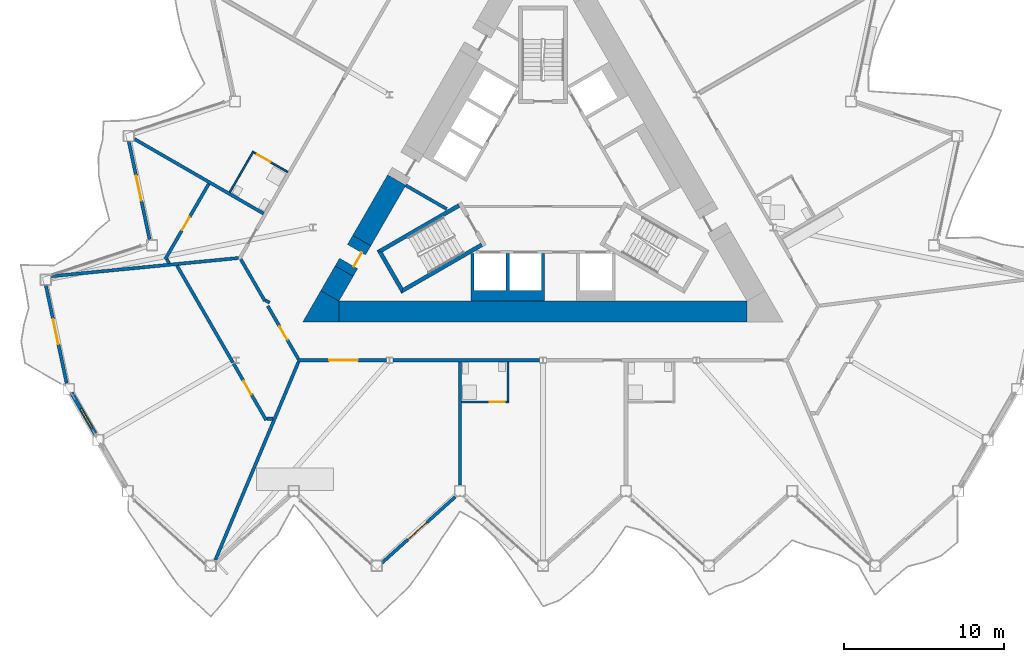
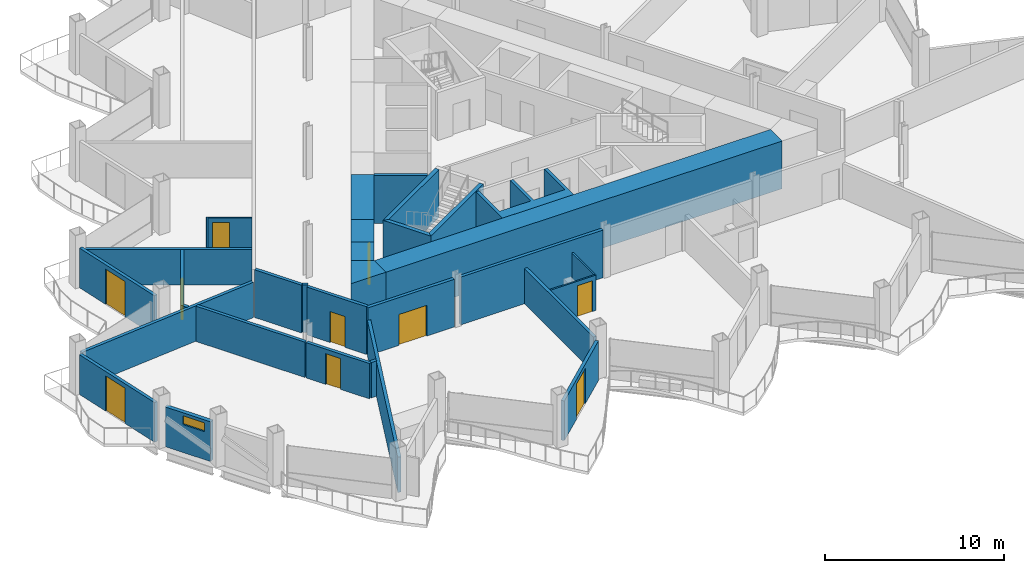
# One storey, part 11 of 23: 32 walls, 10 doors, 1 window, 11 openings.
"""IFC4 building model written with IfcOpenShell, lengths in metres."""

from ifc_helpers import new_model, si_unit, direction, frame, frame_2d, origin, place, context, subcontext, project, spatial, polyline, rectangle, outline, extrude, material, layer, layer_set, type_object, element, fill, save


model = new_model("IFC4")

# Units and contexts
model_context = context("Model", 3, precision=1e-05, world=origin(), true_north=direction((0.0, 1.0)))
body_context = subcontext(model_context, "Body", "Model", "MODEL_VIEW")
ifc_project = project(units=[si_unit("LENGTHUNIT", "METRE"), si_unit("AREAUNIT", "SQUARE_METRE"), si_unit("VOLUMEUNIT", "CUBIC_METRE"), si_unit("PLANEANGLEUNIT", "RADIAN"), si_unit("MASSUNIT", "GRAM", prefix="KILO")], contexts=[model_context])

# Site, building, storey
site_placement = place(None, origin())
site = spatial("IfcSite", under=ifc_project, at=site_placement, CompositionType="ELEMENT")
building_placement = place(site_placement, origin())
building = spatial("IfcBuilding", under=site, at=building_placement, Name="Cormorant Prow Tower", CompositionType="ELEMENT")
storey_placement = place(building_placement, frame((0.0, 0.0, 267.0)))
storey = spatial("IfcBuildingStorey", under=building, at=storey_placement, Name="L60", CompositionType="ELEMENT", Elevation=267.0)

# Walls
ifc_material_1 = material(Name="Concrete 8000 psi", Category="concrete")
ifc_layer_1 = layer(ifc_material_1, 1.300048828125)
ifc_layer_set_1 = layer_set([ifc_layer_1], Name="Concrete 8000 psi")
wall_type_1 = type_object("IfcWallType", Name="Core shear wall 1300", PredefinedType="SHEAR", material=ifc_layer_set_1)
wall_1_placement = place(storey_placement, frame((-12.748291015625, -8.01025390625, 0.0), z_axis=(0.0, 0.0, 1.0), x_axis=(1.0, 0.0, 0.0)))
element("IfcWall", 1, at=wall_1_placement, inside=storey, type_object=wall_type_1, Name="Core wall", PredefinedType="SHEAR", context=body_context, shape_type="SweptSolid", body=[
    extrude(rectangle(XDim=25.49658203125, YDim=1.300048828125, at=frame_2d((12.748291015625, 0.0))), origin(), (0.0, 0.0, 1.0), 3.25),
])
wall_2_placement = place(storey_placement, frame((-9.13720703125, 0.194580078125, 0.0), z_axis=(0.0, 0.0, 1.0), x_axis=(-0.499985697398, -0.866033661238, 0.0)))
element("IfcWall", 2, at=wall_2_placement, inside=storey, type_object=wall_type_1, Name="Core wall", PredefinedType="SHEAR", context=body_context, shape_type="SweptSolid", body=[
    extrude(rectangle(XDim=4.362060546875, YDim=1.300048828125, at=frame_2d((2.18115234375, 0.0))), origin(), (0.0, 0.0, 1.0), 3.25),
])
wall_3_placement = place(storey_placement, frame((-12.418212890625, -5.48828125, 0.0), z_axis=(0.0, 0.0, 1.0), x_axis=(-0.499931460552, -0.866064971437, 0.0)))
element("IfcWall", 3, at=wall_3_placement, inside=storey, type_object=wall_type_1, Name="Core wall", PredefinedType="SHEAR", context=body_context, shape_type="SweptSolid", body=[
    extrude(rectangle(XDim=1.786376953125, YDim=1.300048828125, at=frame_2d((0.89306640625, 0.0))), origin(), (0.0, 0.0, 1.0), 3.25),
])
wall_4_placement = place(storey_placement, origin())
element("IfcWall", 4, at=wall_4_placement, inside=storey, type_object=wall_type_1, Name="Core wall corner", PredefinedType="SHEAR", context=body_context, shape_type="SweptSolid", body=[
    extrude(outline(polyline([(-13.874267578125, -6.710205078125), (-12.748291015625, -7.3603515625), (-12.748291015625, -8.660400390625), (-15.0, -8.660400390625), (-13.874267578125, -6.710205078125)])), origin(), (0.0, 0.0, 1.0), 3.25),
])

# Wall, opening, door
wall_5_placement = place(storey_placement, frame((-11.318115234375, -3.5830078125, 0.0), z_axis=(0.0, 0.0, 1.0), x_axis=(-0.50002983664, -0.866008176907, 0.0)))
wall_5 = element("IfcWall", 5, at=wall_5_placement, inside=storey, type_object=wall_type_1, Name="Core wall door panel", PredefinedType="SHEAR", context=body_context, shape_type="SweptSolid", body=[
    extrude(rectangle(XDim=2.199951171875, YDim=1.300048828125, at=frame_2d((1.10009765625, 0.0))), origin(), (0.0, 0.0, 1.0), 3.25),
])
opening_1_placement = place(wall_5_placement, frame((0.64990234375, 0.0, 0.0)))
opening_1 = element("IfcOpeningElement", 6, at=opening_1_placement, cuts=wall_5, Name="Opening L60-C14", PredefinedType="OPENING", context=body_context, shape_type="SweptSolid", body=[
    extrude(rectangle(XDim=1.0, YDim=2.10009765625, at=frame_2d((0.5, 1.050048828125))), frame((0.0, 0.659912109375, 0.0), z_axis=(0.0, -1.0, 0.0), x_axis=(1.0, 0.0, 0.0)), (0.0, 0.0, 1.0), 1.320068359375),
])
ifc_material_2 = material(Name="Painted steel", Category="steel")
door_type_1 = type_object("IfcDoorType", Name="Service door 1000x2100", OperationType="NOTDEFINED", PredefinedType="DOOR", material=ifc_material_2)
door_1_placement = place(opening_1_placement, origin())
door_1 = element("IfcDoor", 7, at=door_1_placement, inside=storey, type_object=door_type_1, Name="Core door, Housekeeping store", OperationType="SINGLE_SWING_LEFT", OverallHeight=2.10009765625, OverallWidth=1.0, PredefinedType="DOOR", context=body_context, shape_type="SweptSolid", body=[
    extrude(rectangle(XDim=1.0, YDim=2.10009765625, at=frame_2d((0.5, 1.050048828125))), frame((0.0, 0.40478515625, 0.0), z_axis=(0.0, -1.0, 0.0), x_axis=(1.0, 0.0, 0.0)), (0.0, 0.0, 1.0), 0.050048828125),
])
fill(opening_1, door_1)

# Wall
ifc_material_3 = material(Name="Gypsum board corridor wall")
ifc_layer_2 = layer(ifc_material_3, 0.199951171875)
ifc_layer_set_2 = layer_set([ifc_layer_2], Name="Gypsum board corridor wall")
wall_type_2 = type_object("IfcWallType", Name="Corridor wall 200", PredefinedType="PARTITIONING", material=ifc_layer_set_2)
wall_6_placement = place(storey_placement, frame((-9.368896484375, -11.060302734375, 0.0), z_axis=(0.0, 0.0, 1.0), x_axis=(1.0, 0.0, 0.0)))
element("IfcWall", 8, at=wall_6_placement, inside=storey, type_object=wall_type_2, Name="Corridor wall", PredefinedType="PARTITIONING", context=body_context, shape_type="SweptSolid", body=[
    extrude(rectangle(XDim=9.159423828125, YDim=0.199951171875, at=frame_2d((4.57958984375, 0.0))), origin(), (0.0, 0.0, 1.0), 3.25),
])

# Wall, opening, door
wall_7_placement = place(storey_placement, frame((-15.330810546875, -11.060302734375, 0.0), z_axis=(0.0, 0.0, 1.0), x_axis=(1.0, 0.0, 0.0)))
wall_7 = element("IfcWall", 9, at=wall_7_placement, inside=storey, type_object=wall_type_2, Name="Corridor wall", PredefinedType="PARTITIONING", context=body_context, shape_type="SweptSolid", body=[
    extrude(rectangle(XDim=5.542724609375, YDim=0.199951171875, at=frame_2d((2.771484375, 0.0))), origin(), (0.0, 0.0, 1.0), 3.25),
])
opening_2_placement = place(wall_7_placement, frame((1.972900390625, 0.0, 0.0)))
opening_2 = element("IfcOpeningElement", 10, at=opening_2_placement, cuts=wall_7, Name="Opening L60-F01", PredefinedType="OPENING", context=body_context, shape_type="SweptSolid", body=[
    extrude(rectangle(XDim=1.800048828125, YDim=2.10009765625, at=frame_2d((0.89990234375, 1.050048828125))), frame((0.0, 0.10986328125, 0.0), z_axis=(0.0, -1.0, 0.0), x_axis=(1.0, 0.0, 0.0)), (0.0, 0.0, 1.0), 0.219970703125),
])
ifc_material_4 = material(Name="Timber door leaf", Category="wood")
door_type_2 = type_object("IfcDoorType", Name="Double door 1800x2100", OperationType="DOUBLE_DOOR_SINGLE_SWING", PredefinedType="DOOR", material=ifc_material_4)
door_2_placement = place(opening_2_placement, origin())
door_2 = element("IfcDoor", 11, at=door_2_placement, inside=storey, type_object=door_type_2, Name="Library door", OperationType="DOUBLE_DOOR_SINGLE_SWING", OverallHeight=2.10009765625, OverallWidth=1.800048828125, PredefinedType="DOOR", context=body_context, shape_type="SweptSolid", body=[
    extrude(rectangle(XDim=1.800048828125, YDim=2.10009765625, at=frame_2d((0.89990234375, 1.050048828125))), frame((0.0, 0.02490234375, 0.0), z_axis=(0.0, -1.0, 0.0), x_axis=(1.0, 0.0, 0.0)), (0.0, 0.0, 1.0), 0.050048828125),
])
fill(opening_2, door_2)

wall_8_placement = place(storey_placement, frame((-17.19384765625, -7.660400390625, 0.0), z_axis=(0.0, 0.0, 1.0), x_axis=(0.499989446428, -0.866031496806, 0.0)))
wall_8 = element("IfcWall", 12, at=wall_8_placement, inside=storey, type_object=wall_type_2, Name="Corridor wall", PredefinedType="PARTITIONING", context=body_context, shape_type="SweptSolid", body=[
    extrude(rectangle(XDim=3.82568359375, YDim=0.199951171875, at=frame_2d((1.912841796875, 0.0))), origin(), (0.0, 0.0, 1.0), 3.25),
])
opening_3_placement = place(wall_8_placement, frame((1.48974609375, 0.0, 0.0)))
opening_3 = element("IfcOpeningElement", 13, at=opening_3_placement, cuts=wall_8, Name="Opening L60-F20", PredefinedType="OPENING", context=body_context, shape_type="SweptSolid", body=[
    extrude(rectangle(XDim=0.949951171875, YDim=2.10009765625, at=frame_2d((0.47509765625, 1.050048828125))), frame((0.0, 0.10986328125, 0.0), z_axis=(0.0, -1.0, 0.0), x_axis=(1.0, 0.0, 0.0)), (0.0, 0.0, 1.0), 0.219970703125),
])
ifc_material_5 = material(Name="Timber door leaf", Category="wood")
door_type_3 = type_object("IfcDoorType", Name="Store door 950x2100", OperationType="NOTDEFINED", PredefinedType="DOOR", material=ifc_material_5)
door_3_placement = place(opening_3_placement, origin())
door_3 = element("IfcDoor", 14, at=door_3_placement, inside=storey, type_object=door_type_3, Name="Guest pantry door", OperationType="SINGLE_SWING_LEFT", OverallHeight=2.10009765625, OverallWidth=0.949951171875, PredefinedType="DOOR", context=body_context, shape_type="SweptSolid", body=[
    extrude(rectangle(XDim=0.949951171875, YDim=2.10009765625, at=frame_2d((0.47509765625, 1.050048828125))), frame((0.0, 0.02490234375, 0.0), z_axis=(0.0, -1.0, 0.0), x_axis=(1.0, 0.0, 0.0)), (0.0, 0.0, 1.0), 0.050048828125),
])
fill(opening_3, door_3)

# Walls
wall_9_placement = place(storey_placement, frame((-18.8759765625, -4.746826171875, 0.0), z_axis=(0.0, 0.0, 1.0), x_axis=(0.499952404951, -0.866052881055, 0.0)))
element("IfcWall", 15, at=wall_9_placement, inside=storey, type_object=wall_type_2, Name="Corridor wall", PredefinedType="PARTITIONING", context=body_context, shape_type="SweptSolid", body=[
    extrude(rectangle(XDim=3.002197265625, YDim=0.199951171875, at=frame_2d((1.5009765625, 0.0))), origin(), (0.0, 0.0, 1.0), 3.25),
])
wall_10_placement = place(storey_placement, frame((-17.33837890625, -7.310302734375, 0.0), z_axis=(0.0, 0.0, 1.0), x_axis=(0.866054481515, -0.499949632511, 0.0)))
element("IfcWall", 16, at=wall_10_placement, inside=storey, type_object=wall_type_2, Name="Corridor wall", PredefinedType="PARTITIONING", context=body_context, shape_type="SweptSolid", body=[
    extrude(rectangle(XDim=0.31005859375, YDim=0.199951171875, at=frame_2d((0.155029296875, 0.0))), origin(), (0.0, 0.0, 1.0), 3.25),
])
ifc_material_6 = material(Name="Gypsum board demising wall")
ifc_layer_3 = layer(ifc_material_6, 0.199951171875)
ifc_layer_set_3 = layer_set([ifc_layer_3], Name="Gypsum board demising wall")
wall_type_3 = type_object("IfcWallType", Name="Demising wall 200", PredefinedType="PARTITIONING", material=ifc_layer_set_3)
wall_11_placement = place(storey_placement, frame((-20.459716796875, -23.52685546875, 0.0), z_axis=(0.0, 0.0, 1.0), x_axis=(0.386788567553, 0.922168424969, 0.0)))
element("IfcWall", 17, at=wall_11_placement, inside=storey, type_object=wall_type_3, Name="Demising wall", PredefinedType="PARTITIONING", context=body_context, shape_type="SweptSolid", body=[
    extrude(rectangle(XDim=13.418701171875, YDim=0.199951171875, at=frame_2d((6.70947265625, 0.0))), origin(), (0.0, 0.0, 1.0), 2.404296875),
])
wall_12_placement = place(storey_placement, frame((-30.703125, -5.80859375, 0.0), z_axis=(0.0, 0.0, 1.0), x_axis=(0.99527973335, 0.097047680974, 0.0)))
element("IfcWall", 18, at=wall_12_placement, inside=storey, type_object=wall_type_3, Name="Demising wall", PredefinedType="PARTITIONING", context=body_context, shape_type="SweptSolid", body=[
    extrude(rectangle(XDim=11.733154296875, YDim=0.199951171875, at=frame_2d((5.86669921875, 0.0))), origin(), (0.0, 0.0, 1.0), 2.404296875),
])
wall_13_placement = place(storey_placement, frame((-25.514892578125, 2.76220703125, 0.0), z_axis=(0.0, 0.0, 1.0), x_axis=(0.866025446298, -0.499999926364, 0.0)))
element("IfcWall", 19, at=wall_13_placement, inside=storey, type_object=wall_type_3, Name="Demising wall", PredefinedType="PARTITIONING", context=body_context, shape_type="SweptSolid", body=[
    extrude(rectangle(XDim=9.3173828125, YDim=0.199951171875, at=frame_2d((4.65869140625, 0.0))), origin(), (0.0, 0.0, 1.0), 2.404296875),
])
wall_14_placement = place(storey_placement, frame((-5.1826171875, -18.85546875, 0.0), z_axis=(0.0, 0.0, 1.0), x_axis=(0.0, 1.0, 0.0)))
element("IfcWall", 20, at=wall_14_placement, inside=storey, type_object=wall_type_3, Name="Demising wall", PredefinedType="PARTITIONING", context=body_context, shape_type="SweptSolid", body=[
    extrude(rectangle(XDim=7.695068359375, YDim=0.199951171875, at=frame_2d((3.84765625, 0.0))), origin(), (0.0, 0.0, 1.0), 2.404296875),
])
wall_15_placement = place(storey_placement, frame((-22.865966796875, -5.135986328125, 0.0), z_axis=(0.0, 0.0, 1.0), x_axis=(0.499988162555, -0.866032238029, 0.0)))
element("IfcWall", 21, at=wall_15_placement, inside=storey, type_object=wall_type_3, Name="Demising wall", PredefinedType="PARTITIONING", context=body_context, shape_type="SweptSolid", body=[
    extrude(rectangle(XDim=6.999267578125, YDim=0.199951171875, at=frame_2d((3.49951171875, 0.0))), origin(), (0.0, 0.0, 1.0), 2.404296875),
])

# Wall, opening, door
wall_16_placement = place(storey_placement, frame((-23.5947265625, -4.746826171875, 0.0), z_axis=(0.0, 0.0, 1.0), x_axis=(0.500003308737, 0.866023493476, 0.0)))
wall_16 = element("IfcWall", 22, at=wall_16_placement, inside=storey, type_object=wall_type_3, Name="Demising wall", PredefinedType="PARTITIONING", context=body_context, shape_type="SweptSolid", body=[
    extrude(rectangle(XDim=5.44287109375, YDim=0.199951171875, at=frame_2d((2.721435546875, 0.0))), origin(), (0.0, 0.0, 1.0), 2.404296875),
])
opening_4_placement = place(wall_16_placement, frame((2.0927734375, 0.0, 0.0)))
opening_4 = element("IfcOpeningElement", 23, at=opening_4_placement, cuts=wall_16, Name="Opening L60-F19", PredefinedType="OPENING", context=body_context, shape_type="SweptSolid", body=[
    extrude(rectangle(XDim=0.949951171875, YDim=2.10009765625, at=frame_2d((0.47509765625, 1.050048828125))), frame((0.0, 0.10986328125, 0.0), z_axis=(0.0, -1.0, 0.0), x_axis=(1.0, 0.0, 0.0)), (0.0, 0.0, 1.0), 0.219970703125),
])
door_4_placement = place(opening_4_placement, origin())
door_4 = element("IfcDoor", 24, at=door_4_placement, inside=storey, type_object=door_type_3, Name="Ice and vending room door", OperationType="SINGLE_SWING_RIGHT", OverallHeight=2.10009765625, OverallWidth=0.949951171875, PredefinedType="DOOR", context=body_context, shape_type="SweptSolid", body=[
    extrude(rectangle(XDim=0.949951171875, YDim=2.10009765625, at=frame_2d((0.47509765625, 1.050048828125))), frame((0.0, 0.02490234375, 0.0), z_axis=(0.0, -1.0, 0.0), x_axis=(1.0, 0.0, 0.0)), (0.0, 0.0, 1.0), 0.050048828125),
])
fill(opening_4, door_4)

wall_17_placement = place(storey_placement, frame((-19.32470703125, -11.269775390625, 0.0), z_axis=(0.0, 0.0, 1.0), x_axis=(0.500000928893, -0.866024867487, 0.0)))
wall_17 = element("IfcWall", 25, at=wall_17_placement, inside=storey, type_object=wall_type_3, Name="Demising wall", PredefinedType="PARTITIONING", context=body_context, shape_type="SweptSolid", body=[
    extrude(rectangle(XDim=4.07275390625, YDim=0.199951171875, at=frame_2d((2.036376953125, 0.0))), origin(), (0.0, 0.0, 1.0), 2.404296875),
])
opening_5_placement = place(wall_17_placement, frame((1.2587890625, 0.0, 0.0)))
opening_5 = element("IfcOpeningElement", 26, at=opening_5_placement, cuts=wall_17, Name="Opening L60-F21", PredefinedType="OPENING", context=body_context, shape_type="SweptSolid", body=[
    extrude(rectangle(XDim=0.949951171875, YDim=2.10009765625, at=frame_2d((0.47509765625, 1.050048828125))), frame((0.0, 0.10986328125, 0.0), z_axis=(0.0, -1.0, 0.0), x_axis=(1.0, 0.0, 0.0)), (0.0, 0.0, 1.0), 0.219970703125),
])
door_5_placement = place(opening_5_placement, origin())
door_5 = element("IfcDoor", 27, at=door_5_placement, inside=storey, type_object=door_type_3, Name="Luggage store door", OperationType="SINGLE_SWING_LEFT", OverallHeight=2.10009765625, OverallWidth=0.949951171875, PredefinedType="DOOR", context=body_context, shape_type="SweptSolid", body=[
    extrude(rectangle(XDim=0.949951171875, YDim=2.10009765625, at=frame_2d((0.47509765625, 1.050048828125))), frame((0.0, 0.02490234375, 0.0), z_axis=(0.0, -1.0, 0.0), x_axis=(1.0, 0.0, 0.0)), (0.0, 0.0, 1.0), 0.050048828125),
])
fill(opening_5, door_5)

# Walls
wall_18_placement = place(storey_placement, frame((-17.23828125, -14.710205078125, 0.0), z_axis=(0.0, 0.0, 1.0), x_axis=(1.0, 0.0, 0.0)))
element("IfcWall", 28, at=wall_18_placement, inside=storey, type_object=wall_type_3, Name="Demising wall", PredefinedType="PARTITIONING", context=body_context, shape_type="SweptSolid", body=[
    extrude(rectangle(XDim=0.37646484375, YDim=0.199951171875, at=frame_2d((0.188232421875, 0.0))), origin(), (0.0, 0.0, 1.0), 2.404296875),
])
wall_19_placement = place(storey_placement, frame((-23.494873046875, -4.746826171875, 0.0), z_axis=(0.0, 0.0, 1.0), x_axis=(0.500180211149, -0.865921333826, 0.0)))
element("IfcWall", 29, at=wall_19_placement, inside=storey, type_object=wall_type_3, Name="Demising wall", PredefinedType="PARTITIONING", context=body_context, shape_type="SweptSolid", body=[
    extrude(rectangle(XDim=0.29248046875, YDim=0.199951171875, at=frame_2d((0.146240234375, 0.0))), origin(), (0.0, 0.0, 1.0), 2.404296875),
])

# Wall, opening, door
ifc_material_7 = material(Name="Gypsum board partition")
ifc_layer_4 = layer(ifc_material_7, 0.10009765625)
ifc_layer_set_4 = layer_set([ifc_layer_4], Name="Gypsum board partition")
wall_type_4 = type_object("IfcWallType", Name="Internal partition 100", PredefinedType="PARTITIONING", material=ifc_layer_set_4)
wall_20_placement = place(storey_placement, frame((-5.082763671875, -13.660400390625, 0.0), z_axis=(0.0, 0.0, 1.0), x_axis=(1.0, 0.0, 0.0)))
wall_20 = element("IfcWall", 30, at=wall_20_placement, inside=storey, type_object=wall_type_4, Name="Internal partition", PredefinedType="PARTITIONING", context=body_context, shape_type="SweptSolid", body=[
    extrude(rectangle(XDim=2.949951171875, YDim=0.10009765625, at=frame_2d((1.47509765625, 0.0))), origin(), (0.0, 0.0, 1.0), 2.404296875),
])
opening_6_placement = place(wall_20_placement, frame((1.75, 0.0, 0.0)))
opening_6 = element("IfcOpeningElement", 31, at=opening_6_placement, cuts=wall_20, Name="Opening L60-F03", PredefinedType="OPENING", context=body_context, shape_type="SweptSolid", body=[
    extrude(rectangle(XDim=0.949951171875, YDim=2.10009765625, at=frame_2d((0.47509765625, 1.050048828125))), frame((0.0, 0.06005859375, 0.0), z_axis=(0.0, -1.0, 0.0), x_axis=(1.0, 0.0, 0.0)), (0.0, 0.0, 1.0), 0.1201171875),
])
ifc_material_8 = material(Name="Timber door leaf", Category="wood")
door_type_4 = type_object("IfcDoorType", Name="Bathroom door 950x2100", OperationType="NOTDEFINED", PredefinedType="DOOR", material=ifc_material_8)
door_6_placement = place(opening_6_placement, origin())
door_6 = element("IfcDoor", 32, at=door_6_placement, inside=storey, type_object=door_type_4, Name="Junior suite door", OperationType="SINGLE_SWING_RIGHT", OverallHeight=2.10009765625, OverallWidth=0.949951171875, PredefinedType="DOOR", context=body_context, shape_type="SweptSolid", body=[
    extrude(rectangle(XDim=0.949951171875, YDim=2.10009765625, at=frame_2d((0.47509765625, 1.050048828125))), frame((0.0, 0.02490234375, 0.0), z_axis=(0.0, -1.0, 0.0), x_axis=(1.0, 0.0, 0.0)), (0.0, 0.0, 1.0), 0.050048828125),
])
fill(opening_6, door_6)

# Wall
wall_21_placement = place(storey_placement, frame((-19.560791015625, -0.559814453125, 0.0), z_axis=(0.0, 0.0, 1.0), x_axis=(0.49997559174, 0.866039495442, 0.0)))
element("IfcWall", 33, at=wall_21_placement, inside=storey, type_object=wall_type_4, Name="Internal partition", PredefinedType="PARTITIONING", context=body_context, shape_type="SweptSolid", body=[
    extrude(rectangle(XDim=2.949951171875, YDim=0.10009765625, at=frame_2d((1.47509765625, 0.0))), origin(), (0.0, 0.0, 1.0), 2.404296875),
])

# Wall, opening, door
wall_22_placement = place(storey_placement, frame((-18.067626953125, 1.926513671875, 0.0), z_axis=(0.0, 0.0, 1.0), x_axis=(0.866014668023, -0.500018594424, 0.0)))
wall_22 = element("IfcWall", 34, at=wall_22_placement, inside=storey, type_object=wall_type_4, Name="Internal partition", PredefinedType="PARTITIONING", context=body_context, shape_type="SweptSolid", body=[
    extrude(rectangle(XDim=2.4501953125, YDim=0.10009765625, at=frame_2d((1.22509765625, 0.0))), origin(), (0.0, 0.0, 1.0), 2.404296875),
])
opening_7_placement = place(wall_22_placement, frame((0.25, 0.0, 0.0)))
opening_7 = element("IfcOpeningElement", 35, at=opening_7_placement, cuts=wall_22, Name="Opening L60-F17", PredefinedType="OPENING", context=body_context, shape_type="SweptSolid", body=[
    extrude(rectangle(XDim=0.949951171875, YDim=2.10009765625, at=frame_2d((0.47509765625, 1.050048828125))), frame((0.0, 0.06005859375, 0.0), z_axis=(0.0, -1.0, 0.0), x_axis=(1.0, 0.0, 0.0)), (0.0, 0.0, 1.0), 0.1201171875),
])
door_7_placement = place(opening_7_placement, origin())
door_7 = element("IfcDoor", 36, at=door_7_placement, inside=storey, type_object=door_type_4, Name="Junior suite door", OperationType="SINGLE_SWING_LEFT", OverallHeight=2.10009765625, OverallWidth=0.949951171875, PredefinedType="DOOR", context=body_context, shape_type="SweptSolid", body=[
    extrude(rectangle(XDim=0.949951171875, YDim=2.10009765625, at=frame_2d((0.47509765625, 1.050048828125))), frame((0.0, 0.02490234375, 0.0), z_axis=(0.0, -1.0, 0.0), x_axis=(1.0, 0.0, 0.0)), (0.0, 0.0, 1.0), 0.050048828125),
])
fill(opening_7, door_7)

# Walls
wall_23_placement = place(storey_placement, frame((-2.1826171875, -13.6103515625, 0.0), z_axis=(0.0, 0.0, 1.0), x_axis=(0.0, 1.0, 0.0)))
element("IfcWall", 37, at=wall_23_placement, inside=storey, type_object=wall_type_4, Name="Internal partition", PredefinedType="PARTITIONING", context=body_context, shape_type="SweptSolid", body=[
    extrude(rectangle(XDim=2.449951171875, YDim=0.10009765625, at=frame_2d((1.22509765625, 0.0))), origin(), (0.0, 0.0, 1.0), 2.404296875),
])
ifc_material_9 = material(Name="Concrete 8000 psi", Category="concrete")
ifc_layer_5 = layer(ifc_material_9, 0.199951171875)
ifc_layer_set_5 = layer_set([ifc_layer_5], Name="Concrete 8000 psi")
wall_type_5 = type_object("IfcWallType", Name="Lift shaft wall 200", PredefinedType="SHEAR", material=ifc_layer_set_5)
wall_24_placement = place(storey_placement, origin())
element("IfcWall", 38, at=wall_24_placement, inside=storey, type_object=wall_type_5, Name="Lift shaft walls, S block", PredefinedType="SHEAR", context=body_context, shape_type="SweptSolid", body=[
    extrude(outline(polyline([(0.10009765625, -7.3603515625), (-4.5, -7.3603515625), (-4.5, -4.39990234375), (-4.300048828125, -4.39990234375), (-4.300048828125, -6.699951171875), (-2.300048828125, -6.699951171875), (-2.300048828125, -4.39990234375), (-2.10009765625, -4.39990234375), (-2.10009765625, -6.699951171875), (-0.10009765625, -6.699951171875), (-0.10009765625, -4.39990234375), (0.10009765625, -4.39990234375), (0.10009765625, -7.3603515625)])), origin(), (0.0, 0.0, 1.0), 3.25),
])
wall_25_placement = place(storey_placement, origin())
element("IfcWall", 39, at=wall_25_placement, inside=storey, type_object=wall_type_5, Name="Lift shaft walls, WNW block", PredefinedType="SHEAR", context=body_context, shape_type="SweptSolid", body=[
    extrude(outline(polyline([(-8.524169921875, -0.043701171875), (-8.130859375, -0.27099609375), (-5.96044921875, -1.52392578125), (-6.060546875, -1.697021484375), (-8.230712890625, -0.444091796875), (-8.624267578125, -0.217041015625), (-8.524169921875, -0.043701171875)])), origin(), (0.0, 0.0, 1.0), 3.25),
])
ifc_material_10 = material(Name="Concrete 8000 psi", Category="concrete")
ifc_layer_6 = layer(ifc_material_10, 0.25)
ifc_layer_set_6 = layer_set([ifc_layer_6], Name="Concrete 8000 psi")
wall_type_6 = type_object("IfcWallType", Name="Stair wall 250", PredefinedType="SHEAR", material=ifc_layer_set_6)
wall_26_placement = place(storey_placement, origin())
element("IfcWall", 40, at=wall_26_placement, inside=storey, type_object=wall_type_6, Name="Stair ST1 enclosure wall (flank)", PredefinedType="SHEAR", context=body_context, shape_type="SweptSolid", body=[
    extrude(outline(polyline([(-5.30712890625, -1.28125), (-10.37353515625, -4.206298828125), (-10.031982421875, -4.2978515625), (-5.18212890625, -1.497802734375), (-5.30712890625, -1.28125)])), origin(), (0.0, 0.0, 1.0), 3.25),
])
wall_27_placement = place(storey_placement, origin())
element("IfcWall", 41, at=wall_27_placement, inside=storey, type_object=wall_type_6, Name="Stair ST1 enclosure wall (end)", PredefinedType="SHEAR", context=body_context, shape_type="SweptSolid", body=[
    extrude(outline(polyline([(-10.37353515625, -4.206298828125), (-8.82958984375, -6.880615234375), (-8.738037109375, -6.5390625), (-10.031982421875, -4.2978515625), (-10.37353515625, -4.206298828125)])), origin(), (0.0, 0.0, 1.0), 3.25),
])
wall_28_placement = place(storey_placement, origin())
element("IfcWall", 42, at=wall_28_placement, inside=storey, type_object=wall_type_6, Name="Stair ST1 enclosure wall (flank)", PredefinedType="SHEAR", context=body_context, shape_type="SweptSolid", body=[
    extrude(outline(polyline([(-8.738037109375, -6.5390625), (-8.82958984375, -6.880615234375), (-3.76318359375, -3.95556640625), (-3.88818359375, -3.739013671875), (-8.738037109375, -6.5390625)])), origin(), (0.0, 0.0, 1.0), 3.25),
])

# Wall, opening, window
ifc_material_11 = material(Name="Terracotta", Category="masonry")
ifc_layer_7 = layer(ifc_material_11, 0.25)
ifc_layer_set_7 = layer_set([ifc_layer_7], Name="Terracotta")
wall_type_7 = type_object("IfcWallType", Name="Terracotta bay wall 250", PredefinedType="SOLIDWALL", material=ifc_layer_set_7)
wall_29_placement = place(storey_placement, frame((-29.447509765625, -13.0849609375, 0.0), z_axis=(0.0, 0.0, 1.0), x_axis=(0.499971101808, -0.86604208752, 0.0)))
wall_29 = element("IfcWall", 43, at=wall_29_placement, inside=storey, type_object=wall_type_7, Name="Terracotta bay wall WSW00", PredefinedType="SOLIDWALL", context=body_context, shape_type="SweptSolid", body=[
    extrude(rectangle(XDim=2.946533203125, YDim=0.25, at=frame_2d((1.47314453125, 0.0))), origin(), (0.0, 0.0, 1.0), 2.700927734375),
])
opening_8_placement = place(wall_29_placement, frame((1.14990234375, 0.0, 1.89990234375)))
opening_8 = element("IfcOpeningElement", 44, at=opening_8_placement, cuts=wall_29, Name="Opening WN6", PredefinedType="OPENING", context=body_context, shape_type="SweptSolid", body=[
    extrude(rectangle(XDim=1.39990234375, YDim=0.60009765625, at=frame_2d((0.699951171875, 0.300048828125))), frame((0.0, 0.135009765625, 0.0), z_axis=(0.0, -1.0, 0.0), x_axis=(1.0, 0.0, 0.0)), (0.0, 0.0, 1.0), 0.27001953125),
])
ifc_material_12 = material(Name="Aluminium 6063-T6", Category="aluminium")
window_type = type_object("IfcWindowType", Name="Corner bay window 1400x600", PartitioningType="SINGLE_PANEL", PredefinedType="WINDOW", material=ifc_material_12)
window_placement = place(opening_8_placement, origin())
window = element("IfcWindow", 45, at=window_placement, inside=storey, type_object=window_type, Name="Corner bay window WSW00", OverallHeight=0.60009765625, OverallWidth=1.39990234375, PartitioningType="SINGLE_PANEL", PredefinedType="WINDOW", context=body_context, shape_type="SweptSolid", body=[
    extrude(rectangle(XDim=1.39990234375, YDim=0.60009765625, at=frame_2d((0.699951171875, 0.300048828125))), frame((0.0, 0.030029296875, 0.0), z_axis=(0.0, -1.0, 0.0), x_axis=(1.0, 0.0, 0.0)), (0.0, 0.0, 1.0), 0.06005859375),
])
fill(opening_8, window)

# Wall, opening, door
ifc_material_13 = material(Name="Terracotta", Category="masonry")
ifc_layer_8 = layer(ifc_material_13, 0.199951171875)
ifc_layer_set_8 = layer_set([ifc_layer_8], Name="Terracotta")
wall_type_8 = type_object("IfcWallType", Name="Terracotta jamb wall 200", PredefinedType="SOLIDWALL", material=ifc_layer_set_8)
wall_30_placement = place(storey_placement, frame((-10.06005859375, -23.713134765625, 0.0), z_axis=(0.0, 0.0, 1.0), x_axis=(0.74316789204, 0.669104987458, 0.0)))
wall_30 = element("IfcWall", 46, at=wall_30_placement, inside=storey, type_object=wall_type_8, Name="Terracotta jamb wall S03", PredefinedType="SOLIDWALL", context=body_context, shape_type="SweptSolid", body=[
    extrude(rectangle(XDim=6.154296875, YDim=0.199951171875, at=frame_2d((3.0771484375, 0.0))), origin(), (0.0, 0.0, 1.0), 2.700927734375),
])
opening_9_placement = place(wall_30_placement, frame((2.18603515625, 0.0, 0.0)))
opening_9 = element("IfcOpeningElement", 47, at=opening_9_placement, cuts=wall_30, Name="Opening ED60.02", PredefinedType="OPENING", context=body_context, shape_type="SweptSolid", body=[
    extrude(rectangle(XDim=1.60009765625, YDim=2.39990234375, at=frame_2d((0.800048828125, 1.199951171875))), frame((0.0, 0.10986328125, 0.0), z_axis=(0.0, -1.0, 0.0), x_axis=(1.0, 0.0, 0.0)), (0.0, 0.0, 1.0), 0.219970703125),
])
ifc_material_14 = material(Name="Aluminium 6063-T6", Category="aluminium")
door_type_5 = type_object("IfcDoorType", Name="Balcony door 1600x2400", OperationType="DOUBLE_DOOR_SINGLE_SWING", PredefinedType="DOOR", material=ifc_material_14)
door_8_placement = place(opening_9_placement, origin())
door_8 = element("IfcDoor", 48, at=door_8_placement, inside=storey, type_object=door_type_5, Name="Balcony door S03 ED60.02", OperationType="DOUBLE_DOOR_SINGLE_SWING", OverallHeight=2.39990234375, OverallWidth=1.60009765625, PredefinedType="DOOR", context=body_context, shape_type="SweptSolid", body=[
    extrude(rectangle(XDim=1.60009765625, YDim=2.39990234375, at=frame_2d((0.800048828125, 1.199951171875))), frame((0.0, 0.02490234375, 0.0), z_axis=(0.0, -1.0, 0.0), x_axis=(1.0, 0.0, 0.0)), (0.0, 0.0, 1.0), 0.050048828125),
])
fill(opening_9, door_8)

wall_31_placement = place(storey_placement, frame((-25.87158203125, 2.615478515625, 0.0), z_axis=(0.0, 0.0, 1.0), x_axis=(0.207882087744, -0.978153892593, 0.0)))
wall_31 = element("IfcWall", 49, at=wall_31_placement, inside=storey, type_object=wall_type_8, Name="Terracotta jamb wall WNW07", PredefinedType="SOLIDWALL", context=body_context, shape_type="SweptSolid", body=[
    extrude(rectangle(XDim=6.25732421875, YDim=0.199951171875, at=frame_2d((3.128662109375, 0.0))), origin(), (0.0, 0.0, 1.0), 2.700927734375),
])
opening_10_placement = place(wall_31_placement, frame((2.18603515625, 0.0, 0.0)))
opening_10 = element("IfcOpeningElement", 50, at=opening_10_placement, cuts=wall_31, Name="Opening ED60.14", PredefinedType="OPENING", context=body_context, shape_type="SweptSolid", body=[
    extrude(rectangle(XDim=1.60009765625, YDim=2.39990234375, at=frame_2d((0.800048828125, 1.199951171875))), frame((0.0, 0.10986328125, 0.0), z_axis=(0.0, -1.0, 0.0), x_axis=(1.0, 0.0, 0.0)), (0.0, 0.0, 1.0), 0.219970703125),
])
door_9_placement = place(opening_10_placement, origin())
door_9 = element("IfcDoor", 51, at=door_9_placement, inside=storey, type_object=door_type_5, Name="Balcony door WNW07 ED60.14", OperationType="DOUBLE_DOOR_SINGLE_SWING", OverallHeight=2.39990234375, OverallWidth=1.60009765625, PredefinedType="DOOR", context=body_context, shape_type="SweptSolid", body=[
    extrude(rectangle(XDim=1.60009765625, YDim=2.39990234375, at=frame_2d((0.800048828125, 1.199951171875))), frame((0.0, 0.02490234375, 0.0), z_axis=(0.0, -1.0, 0.0), x_axis=(1.0, 0.0, 0.0)), (0.0, 0.0, 1.0), 0.050048828125),
])
fill(opening_10, door_9)

wall_32_placement = place(storey_placement, frame((-31.054443359375, -6.361083984375, 0.0), z_axis=(0.0, 0.0, 1.0), x_axis=(0.207937956549, -0.978142017412, 0.0)))
wall_32 = element("IfcWall", 52, at=wall_32_placement, inside=storey, type_object=wall_type_8, Name="Terracotta jamb wall WNW09", PredefinedType="SOLIDWALL", context=body_context, shape_type="SweptSolid", body=[
    extrude(rectangle(XDim=6.267333984375, YDim=0.199951171875, at=frame_2d((3.1337890625, 0.0))), origin(), (0.0, 0.0, 1.0), 2.700927734375),
])
opening_11_placement = place(wall_32_placement, frame((2.18603515625, 0.0, 0.0)))
opening_11 = element("IfcOpeningElement", 53, at=opening_11_placement, cuts=wall_32, Name="Opening ED60.15", PredefinedType="OPENING", context=body_context, shape_type="SweptSolid", body=[
    extrude(rectangle(XDim=1.60009765625, YDim=2.39990234375, at=frame_2d((0.800048828125, 1.199951171875))), frame((0.0, 0.10986328125, 0.0), z_axis=(0.0, -1.0, 0.0), x_axis=(1.0, 0.0, 0.0)), (0.0, 0.0, 1.0), 0.219970703125),
])
door_10_placement = place(opening_11_placement, origin())
door_10 = element("IfcDoor", 54, at=door_10_placement, inside=storey, type_object=door_type_5, Name="Balcony door WNW09 ED60.15", OperationType="DOUBLE_DOOR_SINGLE_SWING", OverallHeight=2.39990234375, OverallWidth=1.60009765625, PredefinedType="DOOR", context=body_context, shape_type="SweptSolid", body=[
    extrude(rectangle(XDim=1.60009765625, YDim=2.39990234375, at=frame_2d((0.800048828125, 1.199951171875))), frame((0.0, 0.02490234375, 0.0), z_axis=(0.0, -1.0, 0.0), x_axis=(1.0, 0.0, 0.0)), (0.0, 0.0, 1.0), 0.050048828125),
])
fill(opening_11, door_10)

save(model, "model.ifc")
